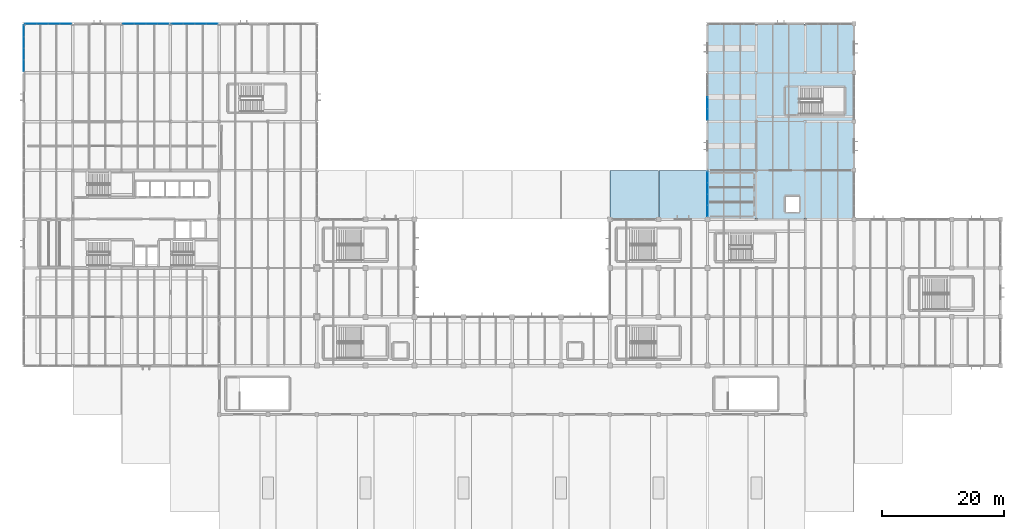
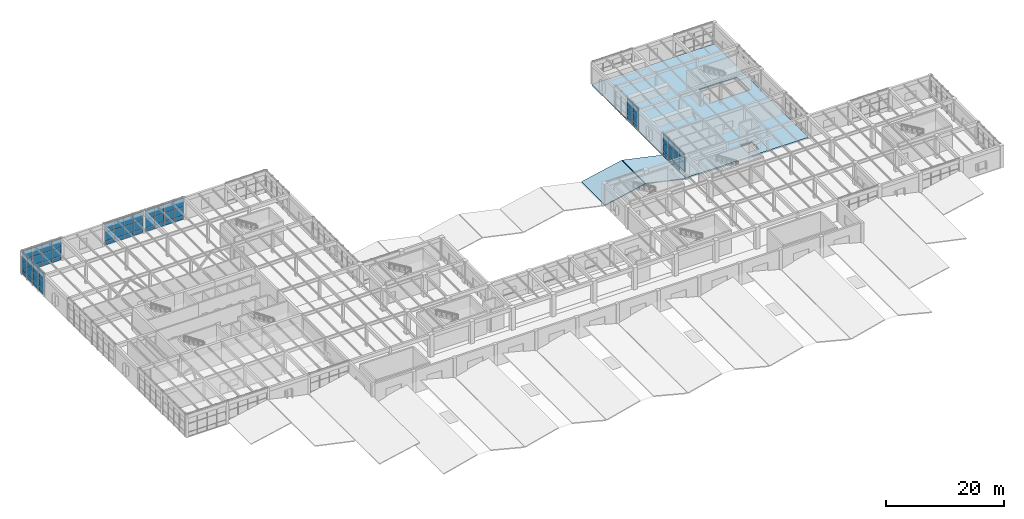
# One storey, part 36 of 60: 65 plates, 3 slabs, 6 elements without a shape of their own.
"""IFC4 building model written with IfcOpenShell, lengths in metres."""

import ifcopenshell
import ifcopenshell.guid

model = None  # the IFC model being written
_history = None  # IfcOwnerHistory: only IFC2X3 demands one
_inside = {}  # id of a spatial element -> (the spatial element, [elements in it])
_under = {}  # id of a project, library or spatial element -> (it, [spatial elements below it])
_declared = {}  # id of a project -> (the project, [libraries it declares])
_typed = {}  # id of a type object -> (the type object, [elements of that type])
_made_of = {}  # id of a material, layer set ... -> (it, [elements and type objects made of it])


def new_model(schema):
    """Start an empty IFC model of exactly this schema.

    Asked for "IFC4X3", IfcOpenShell would pick the latest addendum, in which some entities
    have other attributes; the version numbers below select the first issue.
    IFC2X3 requires an IfcOwnerHistory on every rooted entity: one is made here for all.
    """
    global model, _history
    if schema == "IFC4X3":
        model = ifcopenshell.file(schema_version=(4, 3, 0, 0))
    else:
        model = ifcopenshell.file(schema=schema)
    _inside.clear()
    _under.clear()
    _declared.clear()
    _typed.clear()
    _made_of.clear()
    _history = None
    if model.schema == "IFC2X3":
        org = make("IfcOrganization", Name="unknown")
        user = make(
            "IfcPersonAndOrganization",
            ThePerson=make("IfcPerson", FamilyName="unknown"),
            TheOrganization=org,
        )
        app = make(
            "IfcApplication",
            ApplicationDeveloper=org,
            Version="unknown",
            ApplicationFullName="unknown",
            ApplicationIdentifier="unknown",
        )
        _history = make(
            "IfcOwnerHistory",
            OwningUser=user,
            OwningApplication=app,
            ChangeAction="ADDED",
            CreationDate=0,
        )
    return model


def make(cls, **values):
    """One entity of the class cls with the attributes given. An attribute that is None is left unset."""
    return model.create_entity(
        cls, **{name: value for name, value in values.items() if value is not None}
    )


def rooted(cls, **values):
    """An entity with a GlobalId (a new one), such as an element, a storey or a relation."""
    return make(cls, GlobalId=ifcopenshell.guid.new(), OwnerHistory=_history, **values)


def si_unit(unit_type, name, prefix=None):
    """IfcSIUnit, for example si_unit("LENGTHUNIT", "METRE", prefix="MILLI")."""
    return make("IfcSIUnit", UnitType=unit_type, Prefix=prefix, Name=name)


def assignment(units):
    """IfcUnitAssignment: the units of a project."""
    return None if units is None else make("IfcUnitAssignment", Units=units)


def point(xyz):
    """IfcCartesianPoint."""
    return None if xyz is None else make("IfcCartesianPoint", Coordinates=xyz)


def direction(xyz):
    """IfcDirection."""
    return None if xyz is None else make("IfcDirection", DirectionRatios=xyz)


def frame(location, z_axis=None, x_axis=None):
    """IfcAxis2Placement3D, a coordinate frame: its origin and axes. An axis left out is left unset."""
    return make(
        "IfcAxis2Placement3D",
        Location=point(location),
        Axis=direction(z_axis),
        RefDirection=direction(x_axis),
    )


def frame_2d(location, x_axis=None):
    """IfcAxis2Placement2D, a coordinate frame in the plane: its origin and x axis."""
    return make(
        "IfcAxis2Placement2D", Location=point(location), RefDirection=direction(x_axis)
    )


def origin():
    """The frame at (0, 0, 0) with its axes left unset."""
    return frame((0.0, 0.0, 0.0))


def origin_2d():
    """The frame at (0, 0) in the plane with its x axis left unset."""
    return frame_2d((0.0, 0.0))


def place(relative_to, where):
    """IfcLocalPlacement: puts the frame where relative to a parent placement (None: the world)."""
    return make(
        "IfcLocalPlacement", PlacementRelTo=relative_to, RelativePlacement=where
    )


def context(
    kind, dimensions, precision=None, world=None, true_north=None, identifier=None
):
    """IfcGeometricRepresentationContext, for example the 3D "Model" context."""
    return make(
        "IfcGeometricRepresentationContext",
        ContextIdentifier=identifier,
        ContextType=kind,
        CoordinateSpaceDimension=dimensions,
        Precision=precision,
        WorldCoordinateSystem=world,
        TrueNorth=true_north,
    )


def subcontext(parent, identifier, kind, view, scale=None):
    """IfcGeometricRepresentationSubContext, for example "Body" below "Model"."""
    return make(
        "IfcGeometricRepresentationSubContext",
        ContextIdentifier=identifier,
        ContextType=kind,
        ParentContext=parent,
        TargetScale=scale,
        TargetView=view,
    )


def project(units=None, contexts=None):
    """IfcProject with its units and contexts."""
    return rooted(
        "IfcProject",
        Name="project",
        RepresentationContexts=contexts,
        UnitsInContext=assignment(units),
    )


def spatial(cls, under=None, at=None, **own):
    """A site, building, storey or space (cls), placed at a placement, below another one or the project."""
    s = rooted(cls, ObjectPlacement=at, **own)
    if under is not None:
        _under.setdefault(under.id(), (under, []))[1].append(s)
    return s


def polyline(points):
    """IfcPolyline through the points."""
    return make("IfcPolyline", Points=[point(p) for p in points])


def profile(cls, at=None, kind="AREA", **sizes):
    """A parametric profile (cls). Its sizes go by their IFC names, for example OverallWidth=200.0."""
    return make(cls, ProfileType=kind, Position=at, **sizes)


def rectangle(**sizes):
    """IfcRectangleProfileDef."""
    return profile("IfcRectangleProfileDef", **sizes)


def outline(outer, holes=None, kind="AREA"):
    """IfcArbitraryClosedProfileDef: a profile drawn as a closed curve; with holes, ...WithVoids."""
    if holes is None:
        return make("IfcArbitraryClosedProfileDef", ProfileType=kind, OuterCurve=outer)
    return make(
        "IfcArbitraryProfileDefWithVoids",
        ProfileType=kind,
        OuterCurve=outer,
        InnerCurves=holes,
    )


def extrude(swept, where, along, depth):
    """IfcExtrudedAreaSolid: the profile swept, set in the frame where, extruded along a direction by depth."""
    return make(
        "IfcExtrudedAreaSolid",
        SweptArea=swept,
        Position=where,
        ExtrudedDirection=direction(along),
        Depth=depth,
    )


def shape(context_of_items, identifier, shape_type, items):
    """IfcShapeRepresentation: the items that make up one representation, for example the "Body"."""
    return make(
        "IfcShapeRepresentation",
        ContextOfItems=context_of_items,
        RepresentationIdentifier=identifier,
        RepresentationType=shape_type,
        Items=items,
    )


def material(Name=None, Category=None):
    """IfcMaterial."""
    return make("IfcMaterial", Name=Name, Category=Category)


def layer(
    of_material, thickness, ventilated=None, Name=None, Category=None, Priority=None
):
    """IfcMaterialLayer: one layer of a wall or slab, of a material (None: an air gap)."""
    return make(
        "IfcMaterialLayer",
        Material=of_material,
        LayerThickness=thickness,
        IsVentilated=ventilated,
        Name=Name,
        Category=Category,
        Priority=Priority,
    )


def layer_set(layers, Name=None):
    """IfcMaterialLayerSet."""
    return make("IfcMaterialLayerSet", MaterialLayers=layers, LayerSetName=Name)


def made_of(thing, what):
    """Note that an element or type object is made of a material, layer set ...; save() writes the relation."""
    if what is not None:
        _made_of.setdefault(what.id(), (what, []))[1].append(thing)
    return thing


def type_object(cls, material=None, **own):
    """A type object (cls), such as IfcWallType, which elements share."""
    return made_of(rooted(cls, **own), material)


def element(
    cls,
    number,
    at=None,
    inside=None,
    cuts=None,
    type_object=None,
    material=None,
    context=None,
    identifier="Body",
    shape_type=None,
    held_by="IfcProductDefinitionShape",
    body=None,
    shapes=None,
    **own,
):
    """One element of the class cls, such as IfcWall. Its Tag is "e" and its number.

    at: its placement. inside: the storey or other place that contains it. cuts: it is an
    opening in that element (IfcRelVoidsElement). A single representation is given by context,
    identifier, shape_type and body (its items); several are given by shapes. held_by: the class
    of the entity that holds the representations. save() writes the other relations.
    """
    e = rooted(cls, Tag="e%d" % number, ObjectPlacement=at, **own)
    if body is not None:
        shapes = [shape(context, identifier, shape_type, body)]
    if shapes is not None:
        e.Representation = make(held_by, Representations=shapes)
    if inside is not None:
        _inside.setdefault(inside.id(), (inside, []))[1].append(e)
    if cuts is not None:
        rooted(
            "IfcRelVoidsElement", RelatingBuildingElement=cuts, RelatedOpeningElement=e
        )
    if type_object is not None:
        _typed.setdefault(type_object.id(), (type_object, []))[1].append(e)
    return made_of(e, material)


def aggregate(whole, parts):
    """IfcRelAggregates: a whole, such as a stair, and the parts it consists of."""
    return rooted("IfcRelAggregates", RelatingObject=whole, RelatedObjects=parts)


def save(model, path):
    """Write the relations noted so far, then the file.

    IfcRelAggregates (storeys below a building ...), IfcRelContainedInSpatialStructure (elements
    in a storey), IfcRelDefinesByType, IfcRelAssociatesMaterial and IfcRelDeclares: one each for
    every whole, place, type object, material and project.
    """
    for whole, parts in _under.values():
        aggregate(whole, parts)
    for where, things in _inside.values():
        rooted(
            "IfcRelContainedInSpatialStructure",
            RelatedElements=things,
            RelatingStructure=where,
        )
    for kind, things in _typed.values():
        rooted("IfcRelDefinesByType", RelatedObjects=things, RelatingType=kind)
    for what, things in _made_of.values():
        rooted("IfcRelAssociatesMaterial", RelatedObjects=things, RelatingMaterial=what)
    for by, libraries in _declared.values():
        rooted("IfcRelDeclares", RelatingContext=by, RelatedDefinitions=libraries)
    model.write(path)


model = new_model("IFC4")

# Units and contexts
model_context = context("Model", 3, precision=1e-05, world=origin(), true_north=direction((0.0, 1.0)))
body_context = subcontext(model_context, "Body", "Model", "MODEL_VIEW")
ifc_project = project(units=[si_unit("LENGTHUNIT", "METRE"), si_unit("AREAUNIT", "SQUARE_METRE"), si_unit("VOLUMEUNIT", "CUBIC_METRE"), si_unit("PLANEANGLEUNIT", "RADIAN"), si_unit("MASSUNIT", "GRAM", prefix="KILO")], contexts=[model_context])

# Site, building, storey
site_placement = place(None, origin())
site = spatial("IfcSite", under=ifc_project, at=site_placement, CompositionType="ELEMENT")
building_placement = place(site_placement, origin())
building = spatial("IfcBuilding", under=site, at=building_placement, Name="Varnela Railside Interchange", CompositionType="ELEMENT")
storey_placement = place(building_placement, frame((0.0, 0.0, 6.300048828125)))
storey = spatial("IfcBuildingStorey", under=building, at=storey_placement, Name="L01", CompositionType="ELEMENT", Elevation=6.300048828125)

# Curtain wall, plates
ifc_material_1 = material(Name="Aluminium 6063-T6", Category="aluminium")
ifc_layer_1 = layer(ifc_material_1, 0.035888671875)
ifc_layer_set_1 = layer_set([ifc_layer_1], Name="Aluminium 6063-T6")
curtain_wall_type_1 = type_object("IfcCurtainWallType", Name="Operations Wing Facade Curtain Wall CW-03", PredefinedType="USERDEFINED", material=ifc_layer_set_1)
curtain_wall_1_placement = place(storey_placement, origin())
curtain_wall_1 = element("IfcCurtainWall", 1, at=curtain_wall_1_placement, inside=storey, type_object=curtain_wall_type_1, Name="Curtain Wall CW-03 (L01) (CW-045)", ObjectType="CURTAIN WALL", PredefinedType="USERDEFINED")
ifc_material_2 = material(Name="Glass laminated double", Category="glass")
ifc_layer_2 = layer(ifc_material_2, 0.0400390625)
ifc_layer_set_2 = layer_set([ifc_layer_2], Name="Glass laminated double")
plate_type_1 = type_object("IfcPlateType", Name="Acoustic Laminated Vision GL-03", PredefinedType="CURTAIN_PANEL", material=ifc_layer_set_2)
plate_1_placement = place(storey_placement, frame((4.0, 87.16015625, 0.059814453125), z_axis=(0.0, 0.0, 1.0), x_axis=(0.0, 1.0, 0.0)))
plate_1 = element("IfcPlate", 2, at=plate_1_placement, type_object=plate_type_1, Name="CW-03 panel 1.1", PredefinedType="CURTAIN_PANEL", context=body_context, shape_type="SweptSolid", body=[
    extrude(rectangle(XDim=1.813232421875, YDim=0.0400390625, at=origin_2d()), origin(), (0.0, 0.0, 1.0), 0.81005859375),
])
plate_2_placement = place(storey_placement, frame((4.0, 87.16015625, 0.929931640625), z_axis=(0.0, 0.0, 1.0), x_axis=(0.0, 1.0, 0.0)))
plate_2 = element("IfcPlate", 3, at=plate_2_placement, type_object=plate_type_1, Name="CW-03 panel 1.2", PredefinedType="CURTAIN_PANEL", context=body_context, shape_type="SweptSolid", body=[
    extrude(rectangle(XDim=1.813232421875, YDim=0.0400390625, at=origin_2d()), origin(), (0.0, 0.0, 1.0), 1.7080078125),
])
plate_3_placement = place(storey_placement, frame((4.0, 87.16015625, 2.69775390625), z_axis=(0.0, 0.0, 1.0), x_axis=(0.0, 1.0, 0.0)))
plate_3 = element("IfcPlate", 4, at=plate_3_placement, type_object=plate_type_1, Name="CW-03 panel 1.3", PredefinedType="CURTAIN_PANEL", context=body_context, shape_type="SweptSolid", body=[
    extrude(rectangle(XDim=1.813232421875, YDim=0.0400390625, at=origin_2d()), origin(), (0.0, 0.0, 1.0), 1.842041015625),
])
plate_4_placement = place(storey_placement, frame((4.0, 89.04833984375, 0.059814453125), z_axis=(0.0, 0.0, 1.0), x_axis=(0.0, 1.0, 0.0)))
plate_4 = element("IfcPlate", 5, at=plate_4_placement, type_object=plate_type_1, Name="CW-03 panel 2.1", PredefinedType="CURTAIN_PANEL", context=body_context, shape_type="SweptSolid", body=[
    extrude(rectangle(XDim=1.84326171875, YDim=0.0400390625, at=origin_2d()), origin(), (0.0, 0.0, 1.0), 0.81005859375),
])
plate_5_placement = place(storey_placement, frame((4.0, 89.04833984375, 0.929931640625), z_axis=(0.0, 0.0, 1.0), x_axis=(0.0, 1.0, 0.0)))
plate_5 = element("IfcPlate", 6, at=plate_5_placement, type_object=plate_type_1, Name="CW-03 panel 2.2", PredefinedType="CURTAIN_PANEL", context=body_context, shape_type="SweptSolid", body=[
    extrude(rectangle(XDim=1.84326171875, YDim=0.0400390625, at=origin_2d()), origin(), (0.0, 0.0, 1.0), 1.7080078125),
])
plate_6_placement = place(storey_placement, frame((4.0, 89.04833984375, 2.69775390625), z_axis=(0.0, 0.0, 1.0), x_axis=(0.0, 1.0, 0.0)))
plate_6 = element("IfcPlate", 7, at=plate_6_placement, type_object=plate_type_1, Name="CW-03 panel 2.3", PredefinedType="CURTAIN_PANEL", context=body_context, shape_type="SweptSolid", body=[
    extrude(rectangle(XDim=1.84326171875, YDim=0.0400390625, at=origin_2d()), origin(), (0.0, 0.0, 1.0), 1.842041015625),
])
plate_7_placement = place(storey_placement, frame((4.0, 90.95166015625, 0.059814453125), z_axis=(0.0, 0.0, 1.0), x_axis=(0.0, 1.0, 0.0)))
plate_7 = element("IfcPlate", 8, at=plate_7_placement, type_object=plate_type_1, Name="CW-03 panel 3.1", PredefinedType="CURTAIN_PANEL", context=body_context, shape_type="SweptSolid", body=[
    extrude(rectangle(XDim=1.84326171875, YDim=0.0400390625, at=origin_2d()), origin(), (0.0, 0.0, 1.0), 0.81005859375),
])
plate_8_placement = place(storey_placement, frame((4.0, 90.95166015625, 0.929931640625), z_axis=(0.0, 0.0, 1.0), x_axis=(0.0, 1.0, 0.0)))
plate_8 = element("IfcPlate", 9, at=plate_8_placement, type_object=plate_type_1, Name="CW-03 panel 3.2", PredefinedType="CURTAIN_PANEL", context=body_context, shape_type="SweptSolid", body=[
    extrude(rectangle(XDim=1.84326171875, YDim=0.0400390625, at=origin_2d()), origin(), (0.0, 0.0, 1.0), 1.7080078125),
])
plate_9_placement = place(storey_placement, frame((4.0, 90.95166015625, 2.69775390625), z_axis=(0.0, 0.0, 1.0), x_axis=(0.0, 1.0, 0.0)))
plate_9 = element("IfcPlate", 10, at=plate_9_placement, type_object=plate_type_1, Name="CW-03 panel 3.3", PredefinedType="CURTAIN_PANEL", context=body_context, shape_type="SweptSolid", body=[
    extrude(rectangle(XDim=1.84326171875, YDim=0.0400390625, at=origin_2d()), origin(), (0.0, 0.0, 1.0), 1.842041015625),
])
plate_10_placement = place(storey_placement, frame((4.0, 92.83984375, 0.059814453125), z_axis=(0.0, 0.0, 1.0), x_axis=(0.0, 1.0, 0.0)))
plate_10 = element("IfcPlate", 11, at=plate_10_placement, type_object=plate_type_1, Name="CW-03 panel 4.1", PredefinedType="CURTAIN_PANEL", context=body_context, shape_type="SweptSolid", body=[
    extrude(rectangle(XDim=1.813232421875, YDim=0.0400390625, at=origin_2d()), origin(), (0.0, 0.0, 1.0), 0.81005859375),
])
plate_11_placement = place(storey_placement, frame((4.0, 92.83984375, 0.929931640625), z_axis=(0.0, 0.0, 1.0), x_axis=(0.0, 1.0, 0.0)))
plate_11 = element("IfcPlate", 12, at=plate_11_placement, type_object=plate_type_1, Name="CW-03 panel 4.2", PredefinedType="CURTAIN_PANEL", context=body_context, shape_type="SweptSolid", body=[
    extrude(rectangle(XDim=1.813232421875, YDim=0.0400390625, at=origin_2d()), origin(), (0.0, 0.0, 1.0), 1.7080078125),
])
plate_12_placement = place(storey_placement, frame((4.0, 92.83984375, 2.69775390625), z_axis=(0.0, 0.0, 1.0), x_axis=(0.0, 1.0, 0.0)))
plate_12 = element("IfcPlate", 13, at=plate_12_placement, type_object=plate_type_1, Name="CW-03 panel 4.3", PredefinedType="CURTAIN_PANEL", context=body_context, shape_type="SweptSolid", body=[
    extrude(rectangle(XDim=1.813232421875, YDim=0.0400390625, at=origin_2d()), origin(), (0.0, 0.0, 1.0), 1.842041015625),
])
aggregate(curtain_wall_1, [plate_1, plate_2, plate_3, plate_4, plate_5, plate_6, plate_7, plate_8, plate_9, plate_10, plate_11, plate_12])

curtain_wall_2_placement = place(storey_placement, origin())
curtain_wall_2 = element("IfcCurtainWall", 14, at=curtain_wall_2_placement, inside=storey, type_object=curtain_wall_type_1, Name="Curtain Wall CW-03 (L01) (CW-046)", ObjectType="CURTAIN WALL", PredefinedType="USERDEFINED")
plate_13_placement = place(storey_placement, frame((5.164306640625, 94.0, 0.059814453125), z_axis=(0.0, 0.0, 1.0), x_axis=(1.0, 0.0, 0.0)))
plate_13 = element("IfcPlate", 15, at=plate_13_placement, type_object=plate_type_1, Name="CW-03 panel 1.1", PredefinedType="CURTAIN_PANEL", context=body_context, shape_type="SweptSolid", body=[
    extrude(rectangle(XDim=1.810546875, YDim=0.0400390625, at=origin_2d()), origin(), (0.0, 0.0, 1.0), 0.81005859375),
])
plate_14_placement = place(storey_placement, frame((5.164306640625, 94.0, 0.929931640625), z_axis=(0.0, 0.0, 1.0), x_axis=(1.0, 0.0, 0.0)))
plate_14 = element("IfcPlate", 16, at=plate_14_placement, type_object=plate_type_1, Name="CW-03 panel 1.2", PredefinedType="CURTAIN_PANEL", context=body_context, shape_type="SweptSolid", body=[
    extrude(rectangle(XDim=1.810546875, YDim=0.0400390625, at=origin_2d()), origin(), (0.0, 0.0, 1.0), 1.7080078125),
])
plate_15_placement = place(storey_placement, frame((5.164306640625, 94.0, 2.69775390625), z_axis=(0.0, 0.0, 1.0), x_axis=(1.0, 0.0, 0.0)))
plate_15 = element("IfcPlate", 17, at=plate_15_placement, type_object=plate_type_1, Name="CW-03 panel 1.3", PredefinedType="CURTAIN_PANEL", context=body_context, shape_type="SweptSolid", body=[
    extrude(rectangle(XDim=1.810546875, YDim=0.0400390625, at=origin_2d()), origin(), (0.0, 0.0, 1.0), 1.842041015625),
])
plate_16_placement = place(storey_placement, frame((7.0498046875, 94.0, 0.059814453125), z_axis=(0.0, 0.0, 1.0), x_axis=(1.0, 0.0, 0.0)))
plate_16 = element("IfcPlate", 18, at=plate_16_placement, type_object=plate_type_1, Name="CW-03 panel 2.1", PredefinedType="CURTAIN_PANEL", context=body_context, shape_type="SweptSolid", body=[
    extrude(rectangle(XDim=1.840576171875, YDim=0.0400390625, at=origin_2d()), origin(), (0.0, 0.0, 1.0), 0.81005859375),
])
plate_17_placement = place(storey_placement, frame((7.0498046875, 94.0, 0.929931640625), z_axis=(0.0, 0.0, 1.0), x_axis=(1.0, 0.0, 0.0)))
plate_17 = element("IfcPlate", 19, at=plate_17_placement, type_object=plate_type_1, Name="CW-03 panel 2.2", PredefinedType="CURTAIN_PANEL", context=body_context, shape_type="SweptSolid", body=[
    extrude(rectangle(XDim=1.840576171875, YDim=0.0400390625, at=origin_2d()), origin(), (0.0, 0.0, 1.0), 1.7080078125),
])
plate_18_placement = place(storey_placement, frame((7.0498046875, 94.0, 2.69775390625), z_axis=(0.0, 0.0, 1.0), x_axis=(1.0, 0.0, 0.0)))
plate_18 = element("IfcPlate", 20, at=plate_18_placement, type_object=plate_type_1, Name="CW-03 panel 2.3", PredefinedType="CURTAIN_PANEL", context=body_context, shape_type="SweptSolid", body=[
    extrude(rectangle(XDim=1.840576171875, YDim=0.0400390625, at=origin_2d()), origin(), (0.0, 0.0, 1.0), 1.842041015625),
])
plate_19_placement = place(storey_placement, frame((8.9501953125, 94.0, 0.059814453125), z_axis=(0.0, 0.0, 1.0), x_axis=(1.0, 0.0, 0.0)))
plate_19 = element("IfcPlate", 21, at=plate_19_placement, type_object=plate_type_1, Name="CW-03 panel 3.1", PredefinedType="CURTAIN_PANEL", context=body_context, shape_type="SweptSolid", body=[
    extrude(rectangle(XDim=1.840576171875, YDim=0.0400390625, at=origin_2d()), origin(), (0.0, 0.0, 1.0), 0.81005859375),
])
plate_20_placement = place(storey_placement, frame((8.9501953125, 94.0, 0.929931640625), z_axis=(0.0, 0.0, 1.0), x_axis=(1.0, 0.0, 0.0)))
plate_20 = element("IfcPlate", 22, at=plate_20_placement, type_object=plate_type_1, Name="CW-03 panel 3.2", PredefinedType="CURTAIN_PANEL", context=body_context, shape_type="SweptSolid", body=[
    extrude(rectangle(XDim=1.840576171875, YDim=0.0400390625, at=origin_2d()), origin(), (0.0, 0.0, 1.0), 1.7080078125),
])
plate_21_placement = place(storey_placement, frame((8.9501953125, 94.0, 2.69775390625), z_axis=(0.0, 0.0, 1.0), x_axis=(1.0, 0.0, 0.0)))
plate_21 = element("IfcPlate", 23, at=plate_21_placement, type_object=plate_type_1, Name="CW-03 panel 3.3", PredefinedType="CURTAIN_PANEL", context=body_context, shape_type="SweptSolid", body=[
    extrude(rectangle(XDim=1.840576171875, YDim=0.0400390625, at=origin_2d()), origin(), (0.0, 0.0, 1.0), 1.842041015625),
])
plate_22_placement = place(storey_placement, frame((10.835693359375, 94.0, 0.059814453125), z_axis=(0.0, 0.0, 1.0), x_axis=(1.0, 0.0, 0.0)))
plate_22 = element("IfcPlate", 24, at=plate_22_placement, type_object=plate_type_1, Name="CW-03 panel 4.1", PredefinedType="CURTAIN_PANEL", context=body_context, shape_type="SweptSolid", body=[
    extrude(rectangle(XDim=1.810546875, YDim=0.0400390625, at=origin_2d()), origin(), (0.0, 0.0, 1.0), 0.81005859375),
])
plate_23_placement = place(storey_placement, frame((10.835693359375, 94.0, 0.929931640625), z_axis=(0.0, 0.0, 1.0), x_axis=(1.0, 0.0, 0.0)))
plate_23 = element("IfcPlate", 25, at=plate_23_placement, type_object=plate_type_1, Name="CW-03 panel 4.2", PredefinedType="CURTAIN_PANEL", context=body_context, shape_type="SweptSolid", body=[
    extrude(rectangle(XDim=1.810546875, YDim=0.0400390625, at=origin_2d()), origin(), (0.0, 0.0, 1.0), 1.7080078125),
])
plate_24_placement = place(storey_placement, frame((10.835693359375, 94.0, 2.69775390625), z_axis=(0.0, 0.0, 1.0), x_axis=(1.0, 0.0, 0.0)))
plate_24 = element("IfcPlate", 26, at=plate_24_placement, type_object=plate_type_1, Name="CW-03 panel 4.3", PredefinedType="CURTAIN_PANEL", context=body_context, shape_type="SweptSolid", body=[
    extrude(rectangle(XDim=1.810546875, YDim=0.0400390625, at=origin_2d()), origin(), (0.0, 0.0, 1.0), 1.842041015625),
])
aggregate(curtain_wall_2, [plate_13, plate_14, plate_15, plate_16, plate_17, plate_18, plate_19, plate_20, plate_21, plate_22, plate_23, plate_24])

curtain_wall_3_placement = place(storey_placement, origin())
curtain_wall_3 = element("IfcCurtainWall", 27, at=curtain_wall_3_placement, inside=storey, type_object=curtain_wall_type_1, Name="Curtain Wall CW-03 (L01) (CW-020)", ObjectType="CURTAIN WALL", PredefinedType="USERDEFINED")
plate_25_placement = place(storey_placement, frame((21.164306640625, 94.0, 0.059814453125), z_axis=(0.0, 0.0, 1.0), x_axis=(1.0, 0.0, 0.0)))
plate_25 = element("IfcPlate", 28, at=plate_25_placement, type_object=plate_type_1, Name="CW-03 panel 1.1", PredefinedType="CURTAIN_PANEL", context=body_context, shape_type="SweptSolid", body=[
    extrude(rectangle(XDim=1.810546875, YDim=0.0400390625, at=origin_2d()), origin(), (0.0, 0.0, 1.0), 0.81005859375),
])
plate_26_placement = place(storey_placement, frame((21.164306640625, 94.0, 0.929931640625), z_axis=(0.0, 0.0, 1.0), x_axis=(1.0, 0.0, 0.0)))
plate_26 = element("IfcPlate", 29, at=plate_26_placement, type_object=plate_type_1, Name="CW-03 panel 1.2", PredefinedType="CURTAIN_PANEL", context=body_context, shape_type="SweptSolid", body=[
    extrude(rectangle(XDim=1.810546875, YDim=0.0400390625, at=origin_2d()), origin(), (0.0, 0.0, 1.0), 1.7080078125),
])
plate_27_placement = place(storey_placement, frame((21.164306640625, 94.0, 2.69775390625), z_axis=(0.0, 0.0, 1.0), x_axis=(1.0, 0.0, 0.0)))
plate_27 = element("IfcPlate", 30, at=plate_27_placement, type_object=plate_type_1, Name="CW-03 panel 1.3", PredefinedType="CURTAIN_PANEL", context=body_context, shape_type="SweptSolid", body=[
    extrude(rectangle(XDim=1.810546875, YDim=0.0400390625, at=origin_2d()), origin(), (0.0, 0.0, 1.0), 1.842041015625),
])
plate_28_placement = place(storey_placement, frame((23.0498046875, 94.0, 0.059814453125), z_axis=(0.0, 0.0, 1.0), x_axis=(1.0, 0.0, 0.0)))
plate_28 = element("IfcPlate", 31, at=plate_28_placement, type_object=plate_type_1, Name="CW-03 panel 2.1", PredefinedType="CURTAIN_PANEL", context=body_context, shape_type="SweptSolid", body=[
    extrude(rectangle(XDim=1.840576171875, YDim=0.0400390625, at=origin_2d()), origin(), (0.0, 0.0, 1.0), 0.81005859375),
])
plate_29_placement = place(storey_placement, frame((23.0498046875, 94.0, 0.929931640625), z_axis=(0.0, 0.0, 1.0), x_axis=(1.0, 0.0, 0.0)))
plate_29 = element("IfcPlate", 32, at=plate_29_placement, type_object=plate_type_1, Name="CW-03 panel 2.2", PredefinedType="CURTAIN_PANEL", context=body_context, shape_type="SweptSolid", body=[
    extrude(rectangle(XDim=1.840576171875, YDim=0.0400390625, at=origin_2d()), origin(), (0.0, 0.0, 1.0), 1.7080078125),
])
plate_30_placement = place(storey_placement, frame((23.0498046875, 94.0, 2.69775390625), z_axis=(0.0, 0.0, 1.0), x_axis=(1.0, 0.0, 0.0)))
plate_30 = element("IfcPlate", 33, at=plate_30_placement, type_object=plate_type_1, Name="CW-03 panel 2.3", PredefinedType="CURTAIN_PANEL", context=body_context, shape_type="SweptSolid", body=[
    extrude(rectangle(XDim=1.840576171875, YDim=0.0400390625, at=origin_2d()), origin(), (0.0, 0.0, 1.0), 1.842041015625),
])
plate_31_placement = place(storey_placement, frame((24.9501953125, 94.0, 0.059814453125), z_axis=(0.0, 0.0, 1.0), x_axis=(1.0, 0.0, 0.0)))
plate_31 = element("IfcPlate", 34, at=plate_31_placement, type_object=plate_type_1, Name="CW-03 panel 3.1", PredefinedType="CURTAIN_PANEL", context=body_context, shape_type="SweptSolid", body=[
    extrude(rectangle(XDim=1.840576171875, YDim=0.0400390625, at=origin_2d()), origin(), (0.0, 0.0, 1.0), 0.81005859375),
])
plate_32_placement = place(storey_placement, frame((24.9501953125, 94.0, 0.929931640625), z_axis=(0.0, 0.0, 1.0), x_axis=(1.0, 0.0, 0.0)))
plate_32 = element("IfcPlate", 35, at=plate_32_placement, type_object=plate_type_1, Name="CW-03 panel 3.2", PredefinedType="CURTAIN_PANEL", context=body_context, shape_type="SweptSolid", body=[
    extrude(rectangle(XDim=1.840576171875, YDim=0.0400390625, at=origin_2d()), origin(), (0.0, 0.0, 1.0), 1.7080078125),
])
plate_33_placement = place(storey_placement, frame((24.9501953125, 94.0, 2.69775390625), z_axis=(0.0, 0.0, 1.0), x_axis=(1.0, 0.0, 0.0)))
plate_33 = element("IfcPlate", 36, at=plate_33_placement, type_object=plate_type_1, Name="CW-03 panel 3.3", PredefinedType="CURTAIN_PANEL", context=body_context, shape_type="SweptSolid", body=[
    extrude(rectangle(XDim=1.840576171875, YDim=0.0400390625, at=origin_2d()), origin(), (0.0, 0.0, 1.0), 1.842041015625),
])
plate_34_placement = place(storey_placement, frame((26.835693359375, 94.0, 0.059814453125), z_axis=(0.0, 0.0, 1.0), x_axis=(1.0, 0.0, 0.0)))
plate_34 = element("IfcPlate", 37, at=plate_34_placement, type_object=plate_type_1, Name="CW-03 panel 4.1", PredefinedType="CURTAIN_PANEL", context=body_context, shape_type="SweptSolid", body=[
    extrude(rectangle(XDim=1.810546875, YDim=0.0400390625, at=origin_2d()), origin(), (0.0, 0.0, 1.0), 0.81005859375),
])
plate_35_placement = place(storey_placement, frame((26.835693359375, 94.0, 0.929931640625), z_axis=(0.0, 0.0, 1.0), x_axis=(1.0, 0.0, 0.0)))
plate_35 = element("IfcPlate", 38, at=plate_35_placement, type_object=plate_type_1, Name="CW-03 panel 4.2", PredefinedType="CURTAIN_PANEL", context=body_context, shape_type="SweptSolid", body=[
    extrude(rectangle(XDim=1.810546875, YDim=0.0400390625, at=origin_2d()), origin(), (0.0, 0.0, 1.0), 1.7080078125),
])
plate_36_placement = place(storey_placement, frame((26.835693359375, 94.0, 2.69775390625), z_axis=(0.0, 0.0, 1.0), x_axis=(1.0, 0.0, 0.0)))
plate_36 = element("IfcPlate", 39, at=plate_36_placement, type_object=plate_type_1, Name="CW-03 panel 4.3", PredefinedType="CURTAIN_PANEL", context=body_context, shape_type="SweptSolid", body=[
    extrude(rectangle(XDim=1.810546875, YDim=0.0400390625, at=origin_2d()), origin(), (0.0, 0.0, 1.0), 1.842041015625),
])
aggregate(curtain_wall_3, [plate_25, plate_26, plate_27, plate_28, plate_29, plate_30, plate_31, plate_32, plate_33, plate_34, plate_35, plate_36])

curtain_wall_4_placement = place(storey_placement, origin())
curtain_wall_4 = element("IfcCurtainWall", 40, at=curtain_wall_4_placement, inside=storey, type_object=curtain_wall_type_1, Name="Curtain Wall CW-03 (L01) (CW-021)", ObjectType="CURTAIN WALL", PredefinedType="USERDEFINED")
plate_37_placement = place(storey_placement, frame((29.164306640625, 94.0, 0.059814453125), z_axis=(0.0, 0.0, 1.0), x_axis=(1.0, 0.0, 0.0)))
plate_37 = element("IfcPlate", 41, at=plate_37_placement, type_object=plate_type_1, Name="CW-03 panel 1.1", PredefinedType="CURTAIN_PANEL", context=body_context, shape_type="SweptSolid", body=[
    extrude(rectangle(XDim=1.810546875, YDim=0.0400390625, at=origin_2d()), origin(), (0.0, 0.0, 1.0), 0.81005859375),
])
plate_38_placement = place(storey_placement, frame((29.164306640625, 94.0, 0.929931640625), z_axis=(0.0, 0.0, 1.0), x_axis=(1.0, 0.0, 0.0)))
plate_38 = element("IfcPlate", 42, at=plate_38_placement, type_object=plate_type_1, Name="CW-03 panel 1.2", PredefinedType="CURTAIN_PANEL", context=body_context, shape_type="SweptSolid", body=[
    extrude(rectangle(XDim=1.810546875, YDim=0.0400390625, at=origin_2d()), origin(), (0.0, 0.0, 1.0), 1.7080078125),
])
plate_39_placement = place(storey_placement, frame((29.164306640625, 94.0, 2.69775390625), z_axis=(0.0, 0.0, 1.0), x_axis=(1.0, 0.0, 0.0)))
plate_39 = element("IfcPlate", 43, at=plate_39_placement, type_object=plate_type_1, Name="CW-03 panel 1.3", PredefinedType="CURTAIN_PANEL", context=body_context, shape_type="SweptSolid", body=[
    extrude(rectangle(XDim=1.810546875, YDim=0.0400390625, at=origin_2d()), origin(), (0.0, 0.0, 1.0), 1.842041015625),
])
plate_40_placement = place(storey_placement, frame((31.0498046875, 94.0, 0.059814453125), z_axis=(0.0, 0.0, 1.0), x_axis=(1.0, 0.0, 0.0)))
plate_40 = element("IfcPlate", 44, at=plate_40_placement, type_object=plate_type_1, Name="CW-03 panel 2.1", PredefinedType="CURTAIN_PANEL", context=body_context, shape_type="SweptSolid", body=[
    extrude(rectangle(XDim=1.840576171875, YDim=0.0400390625, at=origin_2d()), origin(), (0.0, 0.0, 1.0), 0.81005859375),
])
plate_41_placement = place(storey_placement, frame((31.0498046875, 94.0, 0.929931640625), z_axis=(0.0, 0.0, 1.0), x_axis=(1.0, 0.0, 0.0)))
plate_41 = element("IfcPlate", 45, at=plate_41_placement, type_object=plate_type_1, Name="CW-03 panel 2.2", PredefinedType="CURTAIN_PANEL", context=body_context, shape_type="SweptSolid", body=[
    extrude(rectangle(XDim=1.840576171875, YDim=0.0400390625, at=origin_2d()), origin(), (0.0, 0.0, 1.0), 1.7080078125),
])
plate_42_placement = place(storey_placement, frame((31.0498046875, 94.0, 2.69775390625), z_axis=(0.0, 0.0, 1.0), x_axis=(1.0, 0.0, 0.0)))
plate_42 = element("IfcPlate", 46, at=plate_42_placement, type_object=plate_type_1, Name="CW-03 panel 2.3", PredefinedType="CURTAIN_PANEL", context=body_context, shape_type="SweptSolid", body=[
    extrude(rectangle(XDim=1.840576171875, YDim=0.0400390625, at=origin_2d()), origin(), (0.0, 0.0, 1.0), 1.842041015625),
])
plate_43_placement = place(storey_placement, frame((32.9501953125, 94.0, 0.059814453125), z_axis=(0.0, 0.0, 1.0), x_axis=(1.0, 0.0, 0.0)))
plate_43 = element("IfcPlate", 47, at=plate_43_placement, type_object=plate_type_1, Name="CW-03 panel 3.1", PredefinedType="CURTAIN_PANEL", context=body_context, shape_type="SweptSolid", body=[
    extrude(rectangle(XDim=1.840576171875, YDim=0.0400390625, at=origin_2d()), origin(), (0.0, 0.0, 1.0), 0.81005859375),
])
plate_44_placement = place(storey_placement, frame((32.9501953125, 94.0, 0.929931640625), z_axis=(0.0, 0.0, 1.0), x_axis=(1.0, 0.0, 0.0)))
plate_44 = element("IfcPlate", 48, at=plate_44_placement, type_object=plate_type_1, Name="CW-03 panel 3.2", PredefinedType="CURTAIN_PANEL", context=body_context, shape_type="SweptSolid", body=[
    extrude(rectangle(XDim=1.840576171875, YDim=0.0400390625, at=origin_2d()), origin(), (0.0, 0.0, 1.0), 1.7080078125),
])
plate_45_placement = place(storey_placement, frame((32.9501953125, 94.0, 2.69775390625), z_axis=(0.0, 0.0, 1.0), x_axis=(1.0, 0.0, 0.0)))
plate_45 = element("IfcPlate", 49, at=plate_45_placement, type_object=plate_type_1, Name="CW-03 panel 3.3", PredefinedType="CURTAIN_PANEL", context=body_context, shape_type="SweptSolid", body=[
    extrude(rectangle(XDim=1.840576171875, YDim=0.0400390625, at=origin_2d()), origin(), (0.0, 0.0, 1.0), 1.842041015625),
])
plate_46_placement = place(storey_placement, frame((34.835693359375, 94.0, 0.059814453125), z_axis=(0.0, 0.0, 1.0), x_axis=(1.0, 0.0, 0.0)))
plate_46 = element("IfcPlate", 50, at=plate_46_placement, type_object=plate_type_1, Name="CW-03 panel 4.1", PredefinedType="CURTAIN_PANEL", context=body_context, shape_type="SweptSolid", body=[
    extrude(rectangle(XDim=1.810546875, YDim=0.0400390625, at=origin_2d()), origin(), (0.0, 0.0, 1.0), 0.81005859375),
])
plate_47_placement = place(storey_placement, frame((34.835693359375, 94.0, 0.929931640625), z_axis=(0.0, 0.0, 1.0), x_axis=(1.0, 0.0, 0.0)))
plate_47 = element("IfcPlate", 51, at=plate_47_placement, type_object=plate_type_1, Name="CW-03 panel 4.2", PredefinedType="CURTAIN_PANEL", context=body_context, shape_type="SweptSolid", body=[
    extrude(rectangle(XDim=1.810546875, YDim=0.0400390625, at=origin_2d()), origin(), (0.0, 0.0, 1.0), 1.7080078125),
])
plate_48_placement = place(storey_placement, frame((34.835693359375, 94.0, 2.69775390625), z_axis=(0.0, 0.0, 1.0), x_axis=(1.0, 0.0, 0.0)))
plate_48 = element("IfcPlate", 52, at=plate_48_placement, type_object=plate_type_1, Name="CW-03 panel 4.3", PredefinedType="CURTAIN_PANEL", context=body_context, shape_type="SweptSolid", body=[
    extrude(rectangle(XDim=1.810546875, YDim=0.0400390625, at=origin_2d()), origin(), (0.0, 0.0, 1.0), 1.842041015625),
])
aggregate(curtain_wall_4, [plate_37, plate_38, plate_39, plate_40, plate_41, plate_42, plate_43, plate_44, plate_45, plate_46, plate_47, plate_48])

# Slabs
ifc_material_3 = material(Name="Concrete C40", Category="concrete")
ifc_layer_3 = layer(ifc_material_3, 0.18994140625)
ifc_layer_set_3 = layer_set([ifc_layer_3], Name="Concrete C40")
slab_type_1 = type_object("IfcSlabType", Name="Folded-Plate Bus End Canopy Shell CS-02", PredefinedType="ROOF", material=ifc_layer_set_3)
for number, where, z_axis, x_axis, name in (
    (53, (100.06005859375, 62.0, -0.094970703125), (-0.21027372061, 0.0, 0.977642553503), (0.977642553503, 0.0, 0.21027372061), "Folded-Plate Bus End Canopy Shell CS-02 (L01) (SL-0116)"),
    (54, (108.06005859375, 62.0, 1.599853515625), (0.21027372061, 0.0, 0.977642553503), (0.977642553503, 0.0, -0.21027372061), "Folded-Plate Bus End Canopy Shell CS-02 (L01) (SL-0117)"),
):
    element("IfcSlab", number, at=place(storey_placement, frame(where, z_axis=z_axis, x_axis=x_axis)), inside=storey, type_object=slab_type_1, Name=name, PredefinedType="ROOF", context=body_context, shape_type="SweptSolid", body=[
        extrude(outline(polyline([(0.0, 0.0), (8.060085748377276, 0.0), (8.060085748377276, 7.999999999999999), (0.0, 7.999999999999999), (0.0, 0.0)])), origin(), (0.0, 0.0, -1.0), 0.18994140625),
    ])

# Curtain wall, plates
ifc_layer_4 = layer(ifc_material_1, 0.035888671875)
ifc_layer_set_4 = layer_set([ifc_layer_4], Name="Aluminium 6063-T6")
curtain_wall_type_2 = type_object("IfcCurtainWallType", Name="Study Pavilion Gallery Curtain Wall CW-02", PredefinedType="USERDEFINED", material=ifc_layer_set_4)
curtain_wall_5_placement = place(storey_placement, origin())
curtain_wall_5 = element("IfcCurtainWall", 55, at=curtain_wall_5_placement, inside=storey, type_object=curtain_wall_type_2, Name="Curtain Wall CW-02 (L01) (CW-029)", ObjectType="CURTAIN WALL", PredefinedType="USERDEFINED")
ifc_layer_5 = layer(ifc_material_2, 0.02001953125)
ifc_layer_set_5 = layer_set([ifc_layer_5], Name="Glass laminated double")
plate_type_2 = type_object("IfcPlateType", Name="Low-E Vision Glazing Panel GL-01", PredefinedType="CURTAIN_PANEL", material=ifc_layer_set_5)
plate_49_placement = place(storey_placement, frame((116.0, 63.3408203125, 0.929931640625), z_axis=(0.0, 0.0, 1.0), x_axis=(0.0, 1.0, 0.0)))
plate_49 = element("IfcPlate", 56, at=plate_49_placement, type_object=plate_type_2, Name="CW-02 panel 1.2", PredefinedType="CURTAIN_PANEL", context=body_context, shape_type="SweptSolid", body=[
    extrude(rectangle(XDim=1.76171875, YDim=0.02001953125, at=origin_2d()), origin(), (0.0, 0.0, 1.0), 1.7080078125),
])
plate_50_placement = place(storey_placement, frame((116.0, 63.3408203125, 2.69775390625), z_axis=(0.0, 0.0, 1.0), x_axis=(0.0, 1.0, 0.0)))
plate_50 = element("IfcPlate", 57, at=plate_50_placement, type_object=plate_type_2, Name="CW-02 panel 1.3", PredefinedType="CURTAIN_PANEL", context=body_context, shape_type="SweptSolid", body=[
    extrude(rectangle(XDim=1.76171875, YDim=0.02001953125, at=origin_2d()), origin(), (0.0, 0.0, 1.0), 1.842041015625),
])
plate_51_placement = place(storey_placement, frame((116.0, 65.177490234375, 0.059814453125), z_axis=(0.0, 0.0, 1.0), x_axis=(0.0, 1.0, 0.0)))
plate_51 = element("IfcPlate", 58, at=plate_51_placement, type_object=plate_type_2, Name="CW-02 panel 2.1", PredefinedType="CURTAIN_PANEL", context=body_context, shape_type="SweptSolid", body=[
    extrude(rectangle(XDim=1.79150390625, YDim=0.02001953125, at=origin_2d()), origin(), (0.0, 0.0, 1.0), 0.81005859375),
])
plate_52_placement = place(storey_placement, frame((116.0, 65.177490234375, 0.929931640625), z_axis=(0.0, 0.0, 1.0), x_axis=(0.0, 1.0, 0.0)))
plate_52 = element("IfcPlate", 59, at=plate_52_placement, type_object=plate_type_2, Name="CW-02 panel 2.2", PredefinedType="CURTAIN_PANEL", context=body_context, shape_type="SweptSolid", body=[
    extrude(rectangle(XDim=1.79150390625, YDim=0.02001953125, at=origin_2d()), origin(), (0.0, 0.0, 1.0), 1.7080078125),
])
plate_53_placement = place(storey_placement, frame((116.0, 65.177490234375, 2.69775390625), z_axis=(0.0, 0.0, 1.0), x_axis=(0.0, 1.0, 0.0)))
plate_53 = element("IfcPlate", 60, at=plate_53_placement, type_object=plate_type_2, Name="CW-02 panel 2.3", PredefinedType="CURTAIN_PANEL", context=body_context, shape_type="SweptSolid", body=[
    extrude(rectangle(XDim=1.79150390625, YDim=0.02001953125, at=origin_2d()), origin(), (0.0, 0.0, 1.0), 1.842041015625),
])
plate_54_placement = place(storey_placement, frame((116.0, 67.029052734375, 0.059814453125), z_axis=(0.0, 0.0, 1.0), x_axis=(0.0, 1.0, 0.0)))
plate_54 = element("IfcPlate", 61, at=plate_54_placement, type_object=plate_type_2, Name="CW-02 panel 3.1", PredefinedType="CURTAIN_PANEL", context=body_context, shape_type="SweptSolid", body=[
    extrude(rectangle(XDim=1.79150390625, YDim=0.02001953125, at=origin_2d()), origin(), (0.0, 0.0, 1.0), 0.81005859375),
])
plate_55_placement = place(storey_placement, frame((116.0, 67.029052734375, 0.929931640625), z_axis=(0.0, 0.0, 1.0), x_axis=(0.0, 1.0, 0.0)))
plate_55 = element("IfcPlate", 62, at=plate_55_placement, type_object=plate_type_2, Name="CW-02 panel 3.2", PredefinedType="CURTAIN_PANEL", context=body_context, shape_type="SweptSolid", body=[
    extrude(rectangle(XDim=1.79150390625, YDim=0.02001953125, at=origin_2d()), origin(), (0.0, 0.0, 1.0), 1.7080078125),
])
plate_56_placement = place(storey_placement, frame((116.0, 67.029052734375, 2.69775390625), z_axis=(0.0, 0.0, 1.0), x_axis=(0.0, 1.0, 0.0)))
plate_56 = element("IfcPlate", 63, at=plate_56_placement, type_object=plate_type_2, Name="CW-02 panel 3.3", PredefinedType="CURTAIN_PANEL", context=body_context, shape_type="SweptSolid", body=[
    extrude(rectangle(XDim=1.79150390625, YDim=0.02001953125, at=origin_2d()), origin(), (0.0, 0.0, 1.0), 1.842041015625),
])
plate_57_placement = place(storey_placement, frame((116.0, 68.86572265625, 0.059814453125), z_axis=(0.0, 0.0, 1.0), x_axis=(0.0, 1.0, 0.0)))
plate_57 = element("IfcPlate", 64, at=plate_57_placement, type_object=plate_type_2, Name="CW-02 panel 4.1", PredefinedType="CURTAIN_PANEL", context=body_context, shape_type="SweptSolid", body=[
    extrude(rectangle(XDim=1.76171875, YDim=0.02001953125, at=origin_2d()), origin(), (0.0, 0.0, 1.0), 0.81005859375),
])
plate_58_placement = place(storey_placement, frame((116.0, 68.86572265625, 0.929931640625), z_axis=(0.0, 0.0, 1.0), x_axis=(0.0, 1.0, 0.0)))
plate_58 = element("IfcPlate", 65, at=plate_58_placement, type_object=plate_type_2, Name="CW-02 panel 4.2", PredefinedType="CURTAIN_PANEL", context=body_context, shape_type="SweptSolid", body=[
    extrude(rectangle(XDim=1.76171875, YDim=0.02001953125, at=origin_2d()), origin(), (0.0, 0.0, 1.0), 1.7080078125),
])
plate_59_placement = place(storey_placement, frame((116.0, 68.86572265625, 2.69775390625), z_axis=(0.0, 0.0, 1.0), x_axis=(0.0, 1.0, 0.0)))
plate_59 = element("IfcPlate", 66, at=plate_59_placement, type_object=plate_type_2, Name="CW-02 panel 4.3", PredefinedType="CURTAIN_PANEL", context=body_context, shape_type="SweptSolid", body=[
    extrude(rectangle(XDim=1.76171875, YDim=0.02001953125, at=origin_2d()), origin(), (0.0, 0.0, 1.0), 1.842041015625),
])
aggregate(curtain_wall_5, [plate_49, plate_50, plate_51, plate_52, plate_53, plate_54, plate_55, plate_56, plate_57, plate_58, plate_59])

curtain_wall_6_placement = place(storey_placement, origin())
curtain_wall_6 = element("IfcCurtainWall", 67, at=curtain_wall_6_placement, inside=storey, type_object=curtain_wall_type_2, Name="Curtain Wall CW-02 (L01) (CW-030)", ObjectType="CURTAIN WALL", PredefinedType="USERDEFINED")
plate_60_placement = place(storey_placement, frame((116.0, 79.16015625, 0.059814453125), z_axis=(0.0, 0.0, 1.0), x_axis=(0.0, 1.0, 0.0)))
plate_60 = element("IfcPlate", 68, at=plate_60_placement, type_object=plate_type_2, Name="CW-02 panel 1.1", PredefinedType="CURTAIN_PANEL", context=body_context, shape_type="SweptSolid", body=[
    extrude(rectangle(XDim=1.813232421875, YDim=0.02001953125, at=origin_2d()), origin(), (0.0, 0.0, 1.0), 0.81005859375),
])
plate_61_placement = place(storey_placement, frame((116.0, 79.16015625, 0.929931640625), z_axis=(0.0, 0.0, 1.0), x_axis=(0.0, 1.0, 0.0)))
plate_61 = element("IfcPlate", 69, at=plate_61_placement, type_object=plate_type_2, Name="CW-02 panel 1.2", PredefinedType="CURTAIN_PANEL", context=body_context, shape_type="SweptSolid", body=[
    extrude(rectangle(XDim=1.813232421875, YDim=0.02001953125, at=origin_2d()), origin(), (0.0, 0.0, 1.0), 1.7080078125),
])
plate_62_placement = place(storey_placement, frame((116.0, 79.16015625, 2.69775390625), z_axis=(0.0, 0.0, 1.0), x_axis=(0.0, 1.0, 0.0)))
plate_62 = element("IfcPlate", 70, at=plate_62_placement, type_object=plate_type_2, Name="CW-02 panel 1.3", PredefinedType="CURTAIN_PANEL", context=body_context, shape_type="SweptSolid", body=[
    extrude(rectangle(XDim=1.813232421875, YDim=0.02001953125, at=origin_2d()), origin(), (0.0, 0.0, 1.0), 1.842041015625),
])
plate_63_placement = place(storey_placement, frame((116.0, 81.04833984375, 0.059814453125), z_axis=(0.0, 0.0, 1.0), x_axis=(0.0, 1.0, 0.0)))
plate_63 = element("IfcPlate", 71, at=plate_63_placement, type_object=plate_type_2, Name="CW-02 panel 2.1", PredefinedType="CURTAIN_PANEL", context=body_context, shape_type="SweptSolid", body=[
    extrude(rectangle(XDim=1.84326171875, YDim=0.02001953125, at=origin_2d()), origin(), (0.0, 0.0, 1.0), 0.81005859375),
])
plate_64_placement = place(storey_placement, frame((116.0, 81.04833984375, 0.929931640625), z_axis=(0.0, 0.0, 1.0), x_axis=(0.0, 1.0, 0.0)))
plate_64 = element("IfcPlate", 72, at=plate_64_placement, type_object=plate_type_2, Name="CW-02 panel 2.2", PredefinedType="CURTAIN_PANEL", context=body_context, shape_type="SweptSolid", body=[
    extrude(rectangle(XDim=1.84326171875, YDim=0.02001953125, at=origin_2d()), origin(), (0.0, 0.0, 1.0), 1.7080078125),
])
plate_65_placement = place(storey_placement, frame((116.0, 81.04833984375, 2.69775390625), z_axis=(0.0, 0.0, 1.0), x_axis=(0.0, 1.0, 0.0)))
plate_65 = element("IfcPlate", 73, at=plate_65_placement, type_object=plate_type_2, Name="CW-02 panel 2.3", PredefinedType="CURTAIN_PANEL", context=body_context, shape_type="SweptSolid", body=[
    extrude(rectangle(XDim=1.84326171875, YDim=0.02001953125, at=origin_2d()), origin(), (0.0, 0.0, 1.0), 1.842041015625),
])
aggregate(curtain_wall_6, [plate_60, plate_61, plate_62, plate_63, plate_64, plate_65])

# Slab
ifc_layer_6 = layer(ifc_material_3, 0.280029296875)
ifc_layer_set_6 = layer_set([ifc_layer_6], Name="Concrete C40")
slab_type_2 = type_object("IfcSlabType", Name="Over-Station Gallery Slab SL-L01", PredefinedType="FLOOR", material=ifc_layer_set_6)
slab_placement = place(storey_placement, frame((0.0, 0.0, -0.280029296875)))
element("IfcSlab", 74, at=slab_placement, inside=storey, type_object=slab_type_2, Name="Over-Station Gallery Slab SL-L01 (L01) (SL-0083)", PredefinedType="FLOOR", context=body_context, shape_type="SweptSolid", body=[
    extrude(outline(polyline([(116.0, 62.0), (140.0, 62.0), (140.0, 94.0), (116.0, 94.0), (116.0, 62.0)]), holes=[polyline([(131.030029296875, 79.199951171875), (138.39990234375, 79.199951171875), (138.39990234375, 83.60009765625), (131.030029296875, 83.60009765625), (131.030029296875, 79.199951171875)]), polyline([(128.800048828125, 63.199951171875), (131.0, 63.199951171875), (131.0, 65.699951171875), (128.800048828125, 65.699951171875), (128.800048828125, 63.199951171875)])]), origin(), (0.0, 0.0, 1.0), 0.280029296875),
])

save(model, "model.ifc")
